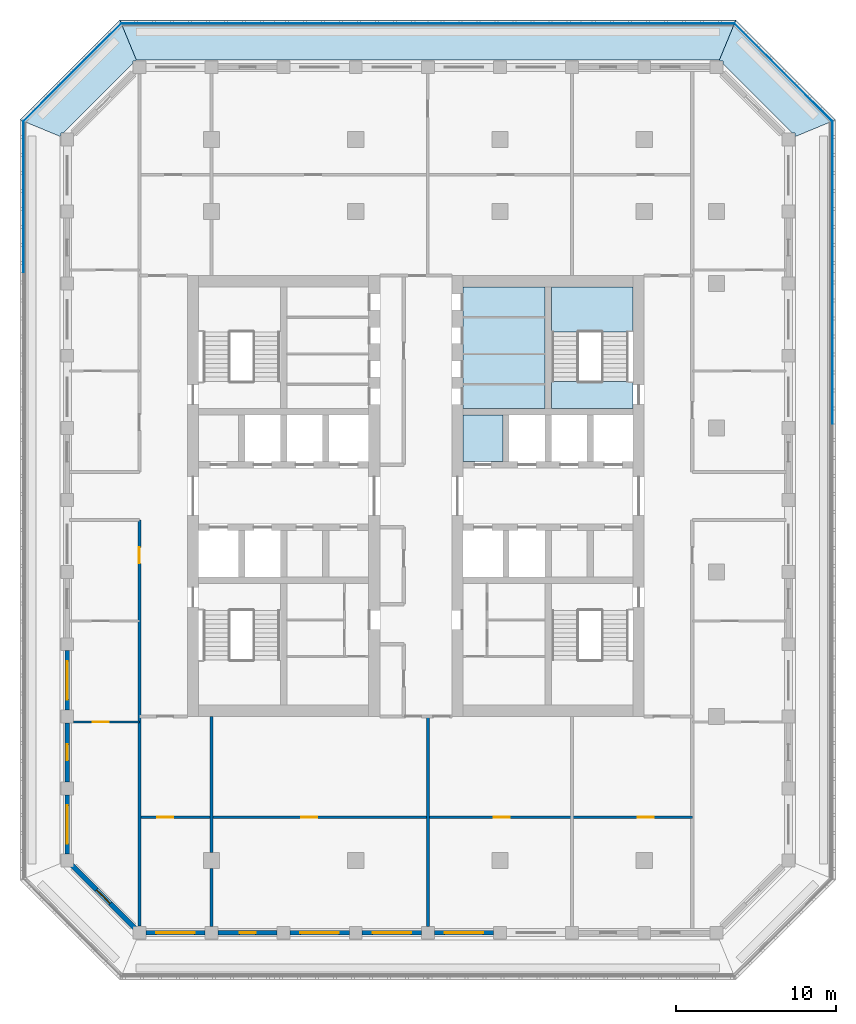
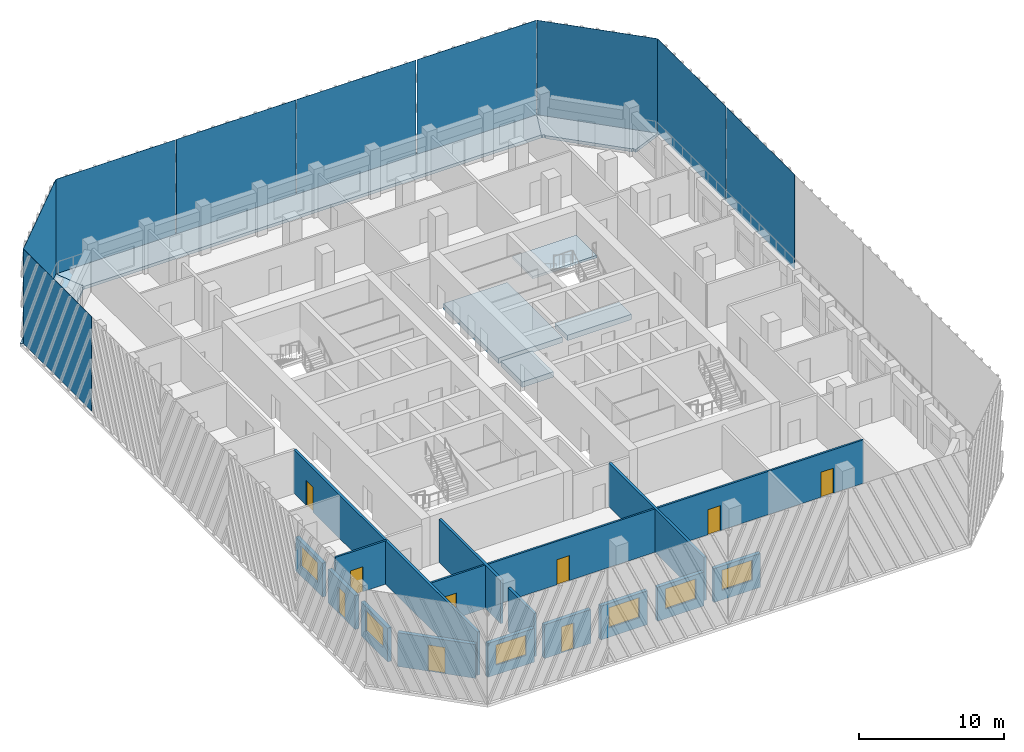
# One storey, part 2 of 17: 15 walls, 9 doors, 9 plates, 7 slabs, 6 windows, 15 openings, 1 element without a shape of its own.
"""IFC4 building model written with IfcOpenShell, lengths in metres."""

from ifc_helpers import new_model, si_unit, direction, frame, frame_2d, origin, origin_2d, place, context, subcontext, project, spatial, polyline, rectangle, outline, extrude, material, layer, layer_set, type_object, element, fill, aggregate, save


model = new_model("IFC4")

# Units and contexts
model_context = context("Model", 3, precision=1e-05, world=origin(), true_north=direction((0.0, 1.0)))
body_context = subcontext(model_context, "Body", "Model", "MODEL_VIEW")
ifc_project = project(units=[si_unit("LENGTHUNIT", "METRE"), si_unit("AREAUNIT", "SQUARE_METRE"), si_unit("VOLUMEUNIT", "CUBIC_METRE"), si_unit("PLANEANGLEUNIT", "RADIAN"), si_unit("MASSUNIT", "GRAM", prefix="KILO")], contexts=[model_context])

# Site, building, storey
site_placement = place(None, origin())
site = spatial("IfcSite", under=ifc_project, at=site_placement, CompositionType="ELEMENT")
building_placement = place(site_placement, origin())
building = spatial("IfcBuilding", under=site, at=building_placement, Name="Corbel Stack Research Tower", CompositionType="ELEMENT")
storey_placement = place(building_placement, frame((0.0, 0.0, 239.800048828125)))
storey = spatial("IfcBuildingStorey", under=building, at=storey_placement, Name="L54", CompositionType="ELEMENT", Elevation=239.800048828125)

# Plates
ifc_material_1 = material(Name="Fritted glass", Category="glass")
ifc_layer_1 = layer(ifc_material_1, 0.02490234375)
ifc_layer_set_1 = layer_set([ifc_layer_1], Name="Fritted glass")
plate_type = type_object("IfcPlateType", Name="Fritted glass panel 25", PredefinedType="SHEET", material=ifc_layer_set_1)
for number, where, z_axis, x_axis, name in (
    (1, (29.737548828125, 13.95556640625, 0.0), (0.0, 0.0, 1.0), (0.0, 1.0, 0.0), "Fritted glass L54 E4"),
    (2, (29.737548828125, 23.411376953125, 0.0), (0.0, 0.0, 1.0), (0.0, 1.0, 0.0), "Fritted glass L54 E5"),
):
    element("IfcPlate", number, at=place(storey_placement, frame(where, z_axis=z_axis, x_axis=x_axis)), inside=storey, type_object=plate_type, Name=name, PredefinedType="SHEET", context=body_context, shape_type="SweptSolid", body=[
        extrude(rectangle(XDim=9.3955078125, YDim=0.02490234375, at=origin_2d()), origin(), (0.0, 0.0, 1.0), 7.949951171875),
    ])
plate_1_placement = place(storey_placement, frame((26.685791015625, 31.185791015625, 0.0), z_axis=(0.0, 0.0, 1.0), x_axis=(-0.707106781187, 0.707106781187, 0.0)))
element("IfcPlate", 3, at=plate_1_placement, inside=storey, type_object=plate_type, Name="Fritted glass L54 NE1", PredefinedType="SHEET", context=body_context, shape_type="SweptSolid", body=[
    extrude(rectangle(XDim=8.58203125, YDim=0.02490234375, at=origin_2d()), origin(), (0.0, 0.0, 1.0), 7.949951171875),
])
for number, where, z_axis, x_axis, name in (
    (4, (18.854248046875, 34.237548828125, 0.0), (0.0, 0.0, 1.0), (-1.0, 0.0, 0.0), "Fritted glass L54 N1"),
    (5, (9.284912109375, 34.237548828125, 0.0), (0.0, 0.0, 1.0), (-1.0, 0.0, 0.0), "Fritted glass L54 N2"),
    (6, (-0.284912109375, 34.237548828125, 0.0), (0.0, 0.0, 1.0), (-1.0, 0.0, 0.0), "Fritted glass L54 N3"),
    (7, (-9.854248046875, 34.237548828125, 0.0), (0.0, 0.0, 1.0), (-1.0, 0.0, 0.0), "Fritted glass L54 N4"),
):
    element("IfcPlate", number, at=place(storey_placement, frame(where, z_axis=z_axis, x_axis=x_axis)), inside=storey, type_object=plate_type, Name=name, PredefinedType="SHEET", context=body_context, shape_type="SweptSolid", body=[
        extrude(rectangle(XDim=9.509521484375, YDim=0.02490234375, at=origin_2d()), origin(), (0.0, 0.0, 1.0), 7.949951171875),
    ])
plate_2_placement = place(storey_placement, frame((-17.685791015625, 31.185791015625, 0.0), z_axis=(0.0, 0.0, 1.0), x_axis=(-0.707106781187, -0.707106781187, 0.0)))
element("IfcPlate", 8, at=plate_2_placement, inside=storey, type_object=plate_type, Name="Fritted glass L54 NW1", PredefinedType="SHEET", context=body_context, shape_type="SweptSolid", body=[
    extrude(rectangle(XDim=8.58203125, YDim=0.02490234375, at=origin_2d()), origin(), (0.0, 0.0, 1.0), 7.949951171875),
])
plate_3_placement = place(storey_placement, frame((-20.737548828125, 23.411376953125, 0.0), z_axis=(0.0, 0.0, 1.0), x_axis=(0.0, -1.0, 0.0)))
element("IfcPlate", 9, at=plate_3_placement, inside=storey, type_object=plate_type, Name="Fritted glass L54 W1", PredefinedType="SHEET", context=body_context, shape_type="SweptSolid", body=[
    extrude(rectangle(XDim=9.3955078125, YDim=0.02490234375, at=origin_2d()), origin(), (0.0, 0.0, 1.0), 7.949951171875),
])

# Slabs
ifc_material_2 = material(Name="Concrete C45/55", Category="concrete")
ifc_layer_2 = layer(ifc_material_2, 0.25)
ifc_layer_set_2 = layer_set([ifc_layer_2], Name="Concrete C45/55")
slab_type_1 = type_object("IfcSlabType", Name="PT balcony slab 250 C45/55", PredefinedType="FLOOR", material=ifc_layer_set_2)
slab_1_placement = place(storey_placement, frame((0.0, 0.0, -0.25)))
element("IfcSlab", 10, at=slab_1_placement, inside=storey, type_object=slab_type_1, Name="Loggia slab L54 NE", PredefinedType="FLOOR", context=body_context, shape_type="SweptSolid", body=[
    extrude(outline(polyline([(22.686279296875, 31.949951171875), (22.736328125, 31.89990234375), (22.89990234375, 31.89990234375), (22.89990234375, 31.736328125), (27.236328125, 27.39990234375), (27.39990234375, 27.39990234375), (27.39990234375, 27.236328125), (27.449951171875, 27.186279296875), (29.949951171875, 28.221923828125), (23.721923828125, 34.449951171875), (22.686279296875, 31.949951171875)])), origin(), (0.0, 0.0, 1.0), 0.25),
])
slab_2_placement = place(storey_placement, frame((0.0, 0.0, -0.25)))
element("IfcSlab", 11, at=slab_2_placement, inside=storey, type_object=slab_type_1, Name="Loggia slab L54 N", PredefinedType="FLOOR", context=body_context, shape_type="SweptSolid", body=[
    extrude(outline(polyline([(-13.686279296875, 31.949951171875), (22.686279296875, 31.949951171875), (23.721923828125, 34.449951171875), (-14.721923828125, 34.449951171875), (-13.686279296875, 31.949951171875)])), origin(), (0.0, 0.0, 1.0), 0.25),
])
slab_3_placement = place(storey_placement, frame((0.0, 0.0, -0.25)))
element("IfcSlab", 12, at=slab_3_placement, inside=storey, type_object=slab_type_1, Name="Loggia slab L54 NW", PredefinedType="FLOOR", context=body_context, shape_type="SweptSolid", body=[
    extrude(outline(polyline([(-18.449951171875, 27.186279296875), (-18.39990234375, 27.236328125), (-18.39990234375, 27.39990234375), (-18.236328125, 27.39990234375), (-13.89990234375, 31.736328125), (-13.89990234375, 31.89990234375), (-13.736328125, 31.89990234375), (-13.686279296875, 31.949951171875), (-14.721923828125, 34.449951171875), (-20.949951171875, 28.221923828125), (-18.449951171875, 27.186279296875)])), origin(), (0.0, 0.0, 1.0), 0.25),
])
ifc_material_3 = material(Name="Concrete C45/55", Category="concrete")
ifc_layer_3 = layer(ifc_material_3, 0.449951171875)
ifc_layer_set_3 = layer_set([ifc_layer_3], Name="Concrete C45/55")
slab_type_2 = type_object("IfcSlabType", Name="PT-450", PredefinedType="FLOOR", material=ifc_layer_set_3)
slab_4_placement = place(storey_placement, frame((0.0, 0.0, -0.449951171875)))
element("IfcSlab", 13, at=slab_4_placement, inside=storey, type_object=slab_type_2, Name="East core floor L54", PredefinedType="FLOOR", context=body_context, shape_type="SweptSolid", body=[
    extrude(outline(polyline([(6.699951171875, 6.89990234375), (9.175048828125, 6.89990234375), (9.175048828125, 9.800048828125), (6.699951171875, 9.800048828125), (6.699951171875, 6.89990234375)])), origin(), (0.0, 0.0, 1.0), 0.449951171875),
])
slab_5_placement = place(storey_placement, frame((0.0, 0.0, -0.449951171875)))
element("IfcSlab", 14, at=slab_5_placement, inside=storey, type_object=slab_type_2, Name="East core floor L54", PredefinedType="FLOOR", context=body_context, shape_type="SweptSolid", body=[
    extrude(outline(polyline([(6.699951171875, 10.199951171875), (11.800048828125, 10.199951171875), (11.800048828125, 17.800048828125), (6.699951171875, 17.800048828125), (6.699951171875, 10.199951171875)])), origin(), (0.0, 0.0, 1.0), 0.449951171875),
])
slab_6_placement = place(storey_placement, frame((0.0, 0.0, -0.449951171875)))
element("IfcSlab", 15, at=slab_6_placement, inside=storey, type_object=slab_type_2, Name="Stair floor landing ST-E2", PredefinedType="FLOOR", context=body_context, shape_type="SweptSolid", body=[
    extrude(outline(polyline([(12.199951171875, 10.199951171875), (17.300048828125, 10.199951171875), (17.300048828125, 11.89990234375), (12.199951171875, 11.89990234375), (12.199951171875, 10.199951171875)])), origin(), (0.0, 0.0, 1.0), 0.449951171875),
])

# Stair, slab
ifc_material_4 = material(Name="Concrete C40/50", Category="concrete")
stair_type = type_object("IfcStairType", Name="Exit stair 24 risers", PredefinedType="HALF_TURN_STAIR", material=ifc_material_4)
stair_placement = place(storey_placement, origin())
stair = element("IfcStair", 16, at=stair_placement, inside=storey, type_object=stair_type, Name="L54 Exit stair ST-E2", PredefinedType="HALF_TURN_STAIR")
ifc_material_5 = material(Name="Concrete C40/50", Category="concrete")
ifc_layer_4 = layer(ifc_material_5, 0.199951171875)
ifc_layer_set_4 = layer_set([ifc_layer_4], Name="Concrete C40/50")
slab_type_3 = type_object("IfcSlabType", Name="Stair landing 200 C40/50", PredefinedType="LANDING", material=ifc_layer_set_4)
slab_7_placement = place(storey_placement, frame((0.0, 0.0, 1.849853515625)))
slab_7 = element("IfcSlab", 17, at=slab_7_placement, type_object=slab_type_3, Name="ST-E2 landing 1", PredefinedType="LANDING", context=body_context, shape_type="SweptSolid", body=[
    extrude(outline(polyline([(12.199951171875, 14.97998046875), (12.199951171875, 17.800048828125), (17.300048828125, 17.800048828125), (17.300048828125, 14.97998046875), (12.199951171875, 14.97998046875)])), origin(), (0.0, 0.0, 1.0), 0.2001953125),
])
aggregate(stair, [slab_7])

# Wall, opening, door
ifc_material_6 = material(Name="Fire-rated gypsum board partition on steel studs", Category="steel")
ifc_layer_5 = layer(ifc_material_6, 0.199951171875)
ifc_layer_set_5 = layer_set([ifc_layer_5], Name="Fire-rated gypsum board partition on steel studs")
wall_type_1 = type_object("IfcWallType", Name="Fire-rated partition 200 EI 60", PredefinedType="PARTITIONING", material=ifc_layer_set_5)
wall_1_placement = place(storey_placement, frame((-13.5, -22.0771484375, 0.0), z_axis=(0.0, 0.0, 1.0), x_axis=(0.0, 1.0, 0.0)))
wall_1 = element("IfcWall", 18, at=wall_1_placement, inside=storey, type_object=wall_type_1, Name="Partition L54-001", PredefinedType="PARTITIONING", context=body_context, shape_type="SweptSolid", body=[
    extrude(rectangle(XDim=25.3271484375, YDim=0.199951171875, at=frame_2d((12.66357421875, 0.0))), origin(), (0.0, 0.0, 1.0), 3.64990234375),
])
opening_1_placement = place(wall_1_placement, frame((22.627197265625, 0.0, 0.0)))
opening_1 = element("IfcOpeningElement", 19, at=opening_1_placement, cuts=wall_1, Name="Opening B7V0-005", PredefinedType="OPENING", context=body_context, shape_type="SweptSolid", body=[
    extrude(rectangle(XDim=1.0, YDim=2.10009765625, at=frame_2d((0.5, 1.050048828125))), frame((0.0, 0.10986328125, 0.0), z_axis=(0.0, -1.0, 0.0), x_axis=(1.0, 0.0, 0.0)), (0.0, 0.0, 1.0), 0.219970703125),
])
ifc_material_7 = material(Name="Painted steel fire door", Category="steel")
door_type_1 = type_object("IfcDoorType", Name="Fire door FD30S 1000 x 2100", OperationType="NOTDEFINED", PredefinedType="DOOR", material=ifc_material_7)
door_1_placement = place(opening_1_placement, origin())
door_1 = element("IfcDoor", 20, at=door_1_placement, inside=storey, type_object=door_type_1, Name="Door B7V0-005", OperationType="SINGLE_SWING_RIGHT", OverallHeight=2.10009765625, OverallWidth=1.0, PredefinedType="DOOR", context=body_context, shape_type="SweptSolid", body=[
    extrude(rectangle(XDim=1.0, YDim=2.10009765625, at=frame_2d((0.5, 1.050048828125))), frame((0.0, 0.02490234375, 0.0), z_axis=(0.0, -1.0, 0.0), x_axis=(1.0, 0.0, 0.0)), (0.0, 0.0, 1.0), 0.050048828125),
])
fill(opening_1, door_1)

# Walls
wall_2_placement = place(storey_placement, frame((-9.0, -22.10009765625, 0.0), z_axis=(0.0, 0.0, 1.0), x_axis=(0.0, 1.0, 0.0)))
element("IfcWall", 21, at=wall_2_placement, inside=storey, type_object=wall_type_1, Name="Partition L54-003", PredefinedType="PARTITIONING", context=body_context, shape_type="SweptSolid", body=[
    extrude(rectangle(XDim=3.60009765625, YDim=0.199951171875, at=frame_2d((1.800048828125, 0.0))), origin(), (0.0, 0.0, 1.0), 3.64990234375),
])
wall_3_placement = place(storey_placement, frame((-9.0, -17.5, 0.0), z_axis=(0.0, 0.0, 1.0), x_axis=(0.0, 1.0, 0.0)))
element("IfcWall", 22, at=wall_3_placement, inside=storey, type_object=wall_type_1, Name="Partition L54-004", PredefinedType="PARTITIONING", context=body_context, shape_type="SweptSolid", body=[
    extrude(rectangle(XDim=8.5, YDim=0.199951171875, at=frame_2d((4.25, 0.0))), origin(), (0.0, 0.0, 1.0), 3.64990234375),
])
wall_4_placement = place(storey_placement, frame((4.5, -22.10009765625, 0.0), z_axis=(0.0, 0.0, 1.0), x_axis=(0.0, 1.0, 0.0)))
element("IfcWall", 23, at=wall_4_placement, inside=storey, type_object=wall_type_1, Name="Partition L54-012", PredefinedType="PARTITIONING", context=body_context, shape_type="SweptSolid", body=[
    extrude(rectangle(XDim=13.10009765625, YDim=0.199951171875, at=frame_2d((6.550048828125, 0.0))), origin(), (0.0, 0.0, 1.0), 3.64990234375),
])

# Wall, openings, doors
ifc_material_8 = material(Name="Gypsum board partition on steel studs", Category="steel")
ifc_layer_6 = layer(ifc_material_8, 0.14990234375)
ifc_layer_set_6 = layer_set([ifc_layer_6], Name="Gypsum board partition on steel studs")
wall_type_2 = type_object("IfcWallType", Name="Partition 150", PredefinedType="PARTITIONING", material=ifc_layer_set_6)
wall_5_placement = place(storey_placement, frame((21.0, -15.300048828125, 0.0), z_axis=(0.0, 0.0, 1.0), x_axis=(-1.0, 0.0, 0.0)))
wall_5 = element("IfcWall", 24, at=wall_5_placement, inside=storey, type_object=wall_type_2, Name="Partition L54-017", PredefinedType="PARTITIONING", context=body_context, shape_type="SweptSolid", body=[
    extrude(rectangle(XDim=34.5, YDim=0.14990234375, at=frame_2d((17.25, 0.0))), origin(), (0.0, 0.0, 1.0), 3.64990234375),
])
opening_2_placement = place(wall_5_placement, frame((32.39990234375, 0.0, 0.0)))
opening_2 = element("IfcOpeningElement", 25, at=opening_2_placement, cuts=wall_5, Name="Opening B7V0-001", PredefinedType="OPENING", context=body_context, shape_type="SweptSolid", body=[
    extrude(rectangle(XDim=1.0, YDim=2.10009765625, at=frame_2d((0.5, 1.050048828125))), frame((0.0, 0.0849609375, 0.0), z_axis=(0.0, -1.0, 0.0), x_axis=(1.0, 0.0, 0.0)), (0.0, 0.0, 1.0), 0.169921875),
])
opening_3_placement = place(wall_5_placement, frame((23.39990234375, 0.0, 0.0)))
opening_3 = element("IfcOpeningElement", 26, at=opening_3_placement, cuts=wall_5, Name="Opening B7V0-002", PredefinedType="OPENING", context=body_context, shape_type="SweptSolid", body=[
    extrude(rectangle(XDim=1.0, YDim=2.10009765625, at=frame_2d((0.5, 1.050048828125))), frame((0.0, 0.0849609375, 0.0), z_axis=(0.0, -1.0, 0.0), x_axis=(1.0, 0.0, 0.0)), (0.0, 0.0, 1.0), 0.169921875),
])
opening_4_placement = place(wall_5_placement, frame((11.39990234375, 0.0, 0.0)))
opening_4 = element("IfcOpeningElement", 27, at=opening_4_placement, cuts=wall_5, Name="Opening B7V0-003", PredefinedType="OPENING", context=body_context, shape_type="SweptSolid", body=[
    extrude(rectangle(XDim=1.0, YDim=2.10009765625, at=frame_2d((0.5, 1.050048828125))), frame((0.0, 0.0849609375, 0.0), z_axis=(0.0, -1.0, 0.0), x_axis=(1.0, 0.0, 0.0)), (0.0, 0.0, 1.0), 0.169921875),
])
opening_5_placement = place(wall_5_placement, frame((2.39990234375, 0.0, 0.0)))
opening_5 = element("IfcOpeningElement", 28, at=opening_5_placement, cuts=wall_5, Name="Opening B7V0-004", PredefinedType="OPENING", context=body_context, shape_type="SweptSolid", body=[
    extrude(rectangle(XDim=1.0, YDim=2.10009765625, at=frame_2d((0.5, 1.050048828125))), frame((0.0, 0.0849609375, 0.0), z_axis=(0.0, -1.0, 0.0), x_axis=(1.0, 0.0, 0.0)), (0.0, 0.0, 1.0), 0.169921875),
])
ifc_material_9 = material(Name="Painted timber door", Category="wood")
door_type_2 = type_object("IfcDoorType", Name="Single door 1000 x 2100", OperationType="NOTDEFINED", PredefinedType="DOOR", material=ifc_material_9)
door_2_placement = place(opening_2_placement, origin())
door_2 = element("IfcDoor", 29, at=door_2_placement, inside=storey, type_object=door_type_2, Name="Door B7V0-001", OperationType="SINGLE_SWING_RIGHT", OverallHeight=2.10009765625, OverallWidth=1.0, PredefinedType="DOOR", context=body_context, shape_type="SweptSolid", body=[
    extrude(rectangle(XDim=1.0, YDim=2.10009765625, at=frame_2d((0.5, 1.050048828125))), frame((0.0, 0.02490234375, 0.0), z_axis=(0.0, -1.0, 0.0), x_axis=(1.0, 0.0, 0.0)), (0.0, 0.0, 1.0), 0.050048828125),
])
fill(opening_2, door_2)
door_3_placement = place(opening_3_placement, origin())
door_3 = element("IfcDoor", 30, at=door_3_placement, inside=storey, type_object=door_type_2, Name="Door B7V0-002", OperationType="SINGLE_SWING_RIGHT", OverallHeight=2.10009765625, OverallWidth=1.0, PredefinedType="DOOR", context=body_context, shape_type="SweptSolid", body=[
    extrude(rectangle(XDim=1.0, YDim=2.10009765625, at=frame_2d((0.5, 1.050048828125))), frame((0.0, 0.02490234375, 0.0), z_axis=(0.0, -1.0, 0.0), x_axis=(1.0, 0.0, 0.0)), (0.0, 0.0, 1.0), 0.050048828125),
])
fill(opening_3, door_3)
door_4_placement = place(opening_4_placement, origin())
door_4 = element("IfcDoor", 31, at=door_4_placement, inside=storey, type_object=door_type_2, Name="Door B7V0-003", OperationType="SINGLE_SWING_LEFT", OverallHeight=2.10009765625, OverallWidth=1.0, PredefinedType="DOOR", context=body_context, shape_type="SweptSolid", body=[
    extrude(rectangle(XDim=1.0, YDim=2.10009765625, at=frame_2d((0.5, 1.050048828125))), frame((0.0, 0.02490234375, 0.0), z_axis=(0.0, -1.0, 0.0), x_axis=(1.0, 0.0, 0.0)), (0.0, 0.0, 1.0), 0.050048828125),
])
fill(opening_4, door_4)
door_5_placement = place(opening_5_placement, origin())
door_5 = element("IfcDoor", 32, at=door_5_placement, inside=storey, type_object=door_type_2, Name="Door B7V0-004", OperationType="SINGLE_SWING_LEFT", OverallHeight=2.10009765625, OverallWidth=1.0, PredefinedType="DOOR", context=body_context, shape_type="SweptSolid", body=[
    extrude(rectangle(XDim=1.0, YDim=2.10009765625, at=frame_2d((0.5, 1.050048828125))), frame((0.0, 0.02490234375, 0.0), z_axis=(0.0, -1.0, 0.0), x_axis=(1.0, 0.0, 0.0)), (0.0, 0.0, 1.0), 0.050048828125),
])
fill(opening_5, door_5)

# Wall, opening, door
wall_6_placement = place(storey_placement, frame((-13.5, -9.35009765625, 0.0), z_axis=(0.0, 0.0, 1.0), x_axis=(-1.0, 0.0, 0.0)))
wall_6 = element("IfcWall", 33, at=wall_6_placement, inside=storey, type_object=wall_type_2, Name="Partition L54-018", PredefinedType="PARTITIONING", context=body_context, shape_type="SweptSolid", body=[
    extrude(rectangle(XDim=4.10009765625, YDim=0.14990234375, at=frame_2d((2.050048828125, 0.0))), origin(), (0.0, 0.0, 1.0), 3.64990234375),
])
opening_6_placement = place(wall_6_placement, frame((1.89990234375, 0.0, 0.0)))
opening_6 = element("IfcOpeningElement", 34, at=opening_6_placement, cuts=wall_6, Name="Opening B7V0-007", PredefinedType="OPENING", context=body_context, shape_type="SweptSolid", body=[
    extrude(rectangle(XDim=1.0, YDim=2.10009765625, at=frame_2d((0.5, 1.050048828125))), frame((0.0, 0.0849609375, 0.0), z_axis=(0.0, -1.0, 0.0), x_axis=(1.0, 0.0, 0.0)), (0.0, 0.0, 1.0), 0.169921875),
])
door_6_placement = place(opening_6_placement, origin())
door_6 = element("IfcDoor", 35, at=door_6_placement, inside=storey, type_object=door_type_2, Name="Door B7V0-007", OperationType="SINGLE_SWING_RIGHT", OverallHeight=2.10009765625, OverallWidth=1.0, PredefinedType="DOOR", context=body_context, shape_type="SweptSolid", body=[
    extrude(rectangle(XDim=1.0, YDim=2.10009765625, at=frame_2d((0.5, 1.050048828125))), frame((0.0, 0.02490234375, 0.0), z_axis=(0.0, -1.0, 0.0), x_axis=(1.0, 0.0, 0.0)), (0.0, 0.0, 1.0), 0.050048828125),
])
fill(opening_6, door_6)

# Wall, opening, window
ifc_material_10 = material(Name="Concrete C45/55", Category="concrete")
ifc_layer_7 = layer(ifc_material_10, 0.300048828125)
ifc_layer_set_7 = layer_set([ifc_layer_7], Name="Concrete C45/55")
wall_type_3 = type_object("IfcWallType", Name="Terracotta-faced concrete wall 300", PredefinedType="SOLIDWALL", material=ifc_layer_set_7)
wall_7_placement = place(storey_placement, frame((-9.39990234375, -22.5, 0.0), z_axis=(0.0, 0.0, 1.0), x_axis=(-1.0, 0.0, 0.0)))
wall_7 = element("IfcWall", 36, at=wall_7_placement, inside=storey, type_object=wall_type_3, Name="Facade wall L54 S01", PredefinedType="SOLIDWALL", context=body_context, shape_type="SweptSolid", body=[
    extrude(rectangle(XDim=3.7001953125, YDim=0.300048828125, at=frame_2d((1.85009765625, 0.0))), origin(), (0.0, 0.0, 1.0), 2.849853515625),
])
opening_7_placement = place(wall_7_placement, frame((0.64990234375, 0.0, 0.800048828125)))
opening_7 = element("IfcOpeningElement", 37, at=opening_7_placement, cuts=wall_7, Name="Opening W1", PredefinedType="OPENING", context=body_context, shape_type="SweptSolid", body=[
    extrude(rectangle(XDim=2.39990234375, YDim=1.699951171875, at=frame_2d((1.199951171875, 0.85009765625))), frame((0.0, 0.159912109375, 0.0), z_axis=(0.0, -1.0, 0.0), x_axis=(1.0, 0.0, 0.0)), (0.0, 0.0, 1.0), 0.320068359375),
])
ifc_material_11 = material(Name="Aluminium frame, clear double glazing", Category="aluminium")
window_type = type_object("IfcWindowType", Name="Window W1 2400 x 1700", PartitioningType="SINGLE_PANEL", PredefinedType="WINDOW", material=ifc_material_11)
window_1_placement = place(opening_7_placement, origin())
window_1 = element("IfcWindow", 38, at=window_1_placement, inside=storey, type_object=window_type, Name="Window W1 L54 S01", OverallHeight=1.699951171875, OverallWidth=2.39990234375, PartitioningType="SINGLE_PANEL", PredefinedType="WINDOW", context=body_context, shape_type="SweptSolid", body=[
    extrude(rectangle(XDim=2.39990234375, YDim=1.699951171875, at=frame_2d((1.199951171875, 0.85009765625))), frame((0.0, 0.030029296875, 0.0), z_axis=(0.0, -1.0, 0.0), x_axis=(1.0, 0.0, 0.0)), (0.0, 0.0, 1.0), 0.06005859375),
])
fill(opening_7, window_1)

# Wall, opening, door
wall_8_placement = place(storey_placement, frame((-4.89990234375, -22.5, 0.0), z_axis=(0.0, 0.0, 1.0), x_axis=(-1.0, 0.0, 0.0)))
wall_8 = element("IfcWall", 39, at=wall_8_placement, inside=storey, type_object=wall_type_3, Name="Facade wall L54 S02", PredefinedType="SOLIDWALL", context=body_context, shape_type="SweptSolid", body=[
    extrude(rectangle(XDim=3.7001953125, YDim=0.300048828125, at=frame_2d((1.85009765625, 0.0))), origin(), (0.0, 0.0, 1.0), 2.849853515625),
])
opening_8_placement = place(wall_8_placement, frame((1.35009765625, 0.0, 0.0)))
opening_8 = element("IfcOpeningElement", 40, at=opening_8_placement, cuts=wall_8, Name="Opening L54-B01", PredefinedType="OPENING", context=body_context, shape_type="SweptSolid", body=[
    extrude(rectangle(XDim=1.0, YDim=2.199951171875, at=frame_2d((0.5, 1.10009765625))), frame((0.0, 0.159912109375, 0.0), z_axis=(0.0, -1.0, 0.0), x_axis=(1.0, 0.0, 0.0)), (0.0, 0.0, 1.0), 0.320068359375),
])
ifc_material_12 = material(Name="Aluminium frame, clear double glazing", Category="aluminium")
door_type_3 = type_object("IfcDoorType", Name="Balcony door BD1 1000 x 2200", OperationType="NOTDEFINED", PredefinedType="DOOR", material=ifc_material_12)
door_7_placement = place(opening_8_placement, origin())
door_7 = element("IfcDoor", 41, at=door_7_placement, inside=storey, type_object=door_type_3, Name="Balcony door L54-B01", OperationType="SINGLE_SWING_RIGHT", OverallHeight=2.199951171875, OverallWidth=1.0, PredefinedType="DOOR", context=body_context, shape_type="SweptSolid", body=[
    extrude(rectangle(XDim=1.0, YDim=2.199951171875, at=frame_2d((0.5, 1.10009765625))), frame((0.0, 0.02490234375, 0.0), z_axis=(0.0, -1.0, 0.0), x_axis=(1.0, 0.0, 0.0)), (0.0, 0.0, 1.0), 0.050048828125),
])
fill(opening_8, door_7)

# Wall, opening, window
wall_9_placement = place(storey_placement, frame((-0.39990234375, -22.5, 0.0), z_axis=(0.0, 0.0, 1.0), x_axis=(-1.0, 0.0, 0.0)))
wall_9 = element("IfcWall", 42, at=wall_9_placement, inside=storey, type_object=wall_type_3, Name="Facade wall L54 S03", PredefinedType="SOLIDWALL", context=body_context, shape_type="SweptSolid", body=[
    extrude(rectangle(XDim=3.7001953125, YDim=0.300048828125, at=frame_2d((1.85009765625, 0.0))), origin(), (0.0, 0.0, 1.0), 2.849853515625),
])
opening_9_placement = place(wall_9_placement, frame((0.64990234375, 0.0, 0.800048828125)))
opening_9 = element("IfcOpeningElement", 43, at=opening_9_placement, cuts=wall_9, Name="Opening W1", PredefinedType="OPENING", context=body_context, shape_type="SweptSolid", body=[
    extrude(rectangle(XDim=2.39990234375, YDim=1.699951171875, at=frame_2d((1.199951171875, 0.85009765625))), frame((0.0, 0.159912109375, 0.0), z_axis=(0.0, -1.0, 0.0), x_axis=(1.0, 0.0, 0.0)), (0.0, 0.0, 1.0), 0.320068359375),
])
window_2_placement = place(opening_9_placement, origin())
window_2 = element("IfcWindow", 44, at=window_2_placement, inside=storey, type_object=window_type, Name="Window W1 L54 S03", OverallHeight=1.699951171875, OverallWidth=2.39990234375, PartitioningType="SINGLE_PANEL", PredefinedType="WINDOW", context=body_context, shape_type="SweptSolid", body=[
    extrude(rectangle(XDim=2.39990234375, YDim=1.699951171875, at=frame_2d((1.199951171875, 0.85009765625))), frame((0.0, 0.030029296875, 0.0), z_axis=(0.0, -1.0, 0.0), x_axis=(1.0, 0.0, 0.0)), (0.0, 0.0, 1.0), 0.06005859375),
])
fill(opening_9, window_2)

wall_10_placement = place(storey_placement, frame((4.10009765625, -22.5, 0.0), z_axis=(0.0, 0.0, 1.0), x_axis=(-1.0, 0.0, 0.0)))
wall_10 = element("IfcWall", 45, at=wall_10_placement, inside=storey, type_object=wall_type_3, Name="Facade wall L54 S04", PredefinedType="SOLIDWALL", context=body_context, shape_type="SweptSolid", body=[
    extrude(rectangle(XDim=3.7001953125, YDim=0.300048828125, at=frame_2d((1.85009765625, 0.0))), origin(), (0.0, 0.0, 1.0), 2.849853515625),
])
opening_10_placement = place(wall_10_placement, frame((0.64990234375, 0.0, 0.800048828125)))
opening_10 = element("IfcOpeningElement", 46, at=opening_10_placement, cuts=wall_10, Name="Opening W1", PredefinedType="OPENING", context=body_context, shape_type="SweptSolid", body=[
    extrude(rectangle(XDim=2.39990234375, YDim=1.699951171875, at=frame_2d((1.199951171875, 0.85009765625))), frame((0.0, 0.159912109375, 0.0), z_axis=(0.0, -1.0, 0.0), x_axis=(1.0, 0.0, 0.0)), (0.0, 0.0, 1.0), 0.320068359375),
])
window_3_placement = place(opening_10_placement, origin())
window_3 = element("IfcWindow", 47, at=window_3_placement, inside=storey, type_object=window_type, Name="Window W1 L54 S04", OverallHeight=1.699951171875, OverallWidth=2.39990234375, PartitioningType="SINGLE_PANEL", PredefinedType="WINDOW", context=body_context, shape_type="SweptSolid", body=[
    extrude(rectangle(XDim=2.39990234375, YDim=1.699951171875, at=frame_2d((1.199951171875, 0.85009765625))), frame((0.0, 0.030029296875, 0.0), z_axis=(0.0, -1.0, 0.0), x_axis=(1.0, 0.0, 0.0)), (0.0, 0.0, 1.0), 0.06005859375),
])
fill(opening_10, window_3)

wall_11_placement = place(storey_placement, frame((8.60009765625, -22.5, 0.0), z_axis=(0.0, 0.0, 1.0), x_axis=(-1.0, 0.0, 0.0)))
wall_11 = element("IfcWall", 48, at=wall_11_placement, inside=storey, type_object=wall_type_3, Name="Facade wall L54 S05", PredefinedType="SOLIDWALL", context=body_context, shape_type="SweptSolid", body=[
    extrude(rectangle(XDim=3.7001953125, YDim=0.300048828125, at=frame_2d((1.85009765625, 0.0))), origin(), (0.0, 0.0, 1.0), 2.849853515625),
])
opening_11_placement = place(wall_11_placement, frame((0.64990234375, 0.0, 0.800048828125)))
opening_11 = element("IfcOpeningElement", 49, at=opening_11_placement, cuts=wall_11, Name="Opening W1", PredefinedType="OPENING", context=body_context, shape_type="SweptSolid", body=[
    extrude(rectangle(XDim=2.39990234375, YDim=1.699951171875, at=frame_2d((1.199951171875, 0.85009765625))), frame((0.0, 0.159912109375, 0.0), z_axis=(0.0, -1.0, 0.0), x_axis=(1.0, 0.0, 0.0)), (0.0, 0.0, 1.0), 0.320068359375),
])
window_4_placement = place(opening_11_placement, origin())
window_4 = element("IfcWindow", 50, at=window_4_placement, inside=storey, type_object=window_type, Name="Window W1 L54 S05", OverallHeight=1.699951171875, OverallWidth=2.39990234375, PartitioningType="SINGLE_PANEL", PredefinedType="WINDOW", context=body_context, shape_type="SweptSolid", body=[
    extrude(rectangle(XDim=2.39990234375, YDim=1.699951171875, at=frame_2d((1.199951171875, 0.85009765625))), frame((0.0, 0.030029296875, 0.0), z_axis=(0.0, -1.0, 0.0), x_axis=(1.0, 0.0, 0.0)), (0.0, 0.0, 1.0), 0.06005859375),
])
fill(opening_11, window_4)

wall_12_placement = place(storey_placement, frame((-18.0, -8.60009765625, 0.0), z_axis=(0.0, 0.0, 1.0), x_axis=(0.0, 1.0, 0.0)))
wall_12 = element("IfcWall", 51, at=wall_12_placement, inside=storey, type_object=wall_type_3, Name="Facade wall L54 W08", PredefinedType="SOLIDWALL", context=body_context, shape_type="SweptSolid", body=[
    extrude(rectangle(XDim=3.7001953125, YDim=0.300048828125, at=frame_2d((1.85009765625, 0.0))), origin(), (0.0, 0.0, 1.0), 2.849853515625),
])
opening_12_placement = place(wall_12_placement, frame((0.64990234375, 0.0, 0.800048828125)))
opening_12 = element("IfcOpeningElement", 52, at=opening_12_placement, cuts=wall_12, Name="Opening W1", PredefinedType="OPENING", context=body_context, shape_type="SweptSolid", body=[
    extrude(rectangle(XDim=2.39990234375, YDim=1.699951171875, at=frame_2d((1.199951171875, 0.85009765625))), frame((0.0, 0.159912109375, 0.0), z_axis=(0.0, -1.0, 0.0), x_axis=(1.0, 0.0, 0.0)), (0.0, 0.0, 1.0), 0.320068359375),
])
window_5_placement = place(opening_12_placement, origin())
window_5 = element("IfcWindow", 53, at=window_5_placement, inside=storey, type_object=window_type, Name="Window W1 L54 W08", OverallHeight=1.699951171875, OverallWidth=2.39990234375, PartitioningType="SINGLE_PANEL", PredefinedType="WINDOW", context=body_context, shape_type="SweptSolid", body=[
    extrude(rectangle(XDim=2.39990234375, YDim=1.699951171875, at=frame_2d((1.199951171875, 0.85009765625))), frame((0.0, 0.030029296875, 0.0), z_axis=(0.0, -1.0, 0.0), x_axis=(1.0, 0.0, 0.0)), (0.0, 0.0, 1.0), 0.06005859375),
])
fill(opening_12, window_5)

# Wall, opening, door
wall_13_placement = place(storey_placement, frame((-18.0, -13.10009765625, 0.0), z_axis=(0.0, 0.0, 1.0), x_axis=(0.0, 1.0, 0.0)))
wall_13 = element("IfcWall", 54, at=wall_13_placement, inside=storey, type_object=wall_type_3, Name="Facade wall L54 W09", PredefinedType="SOLIDWALL", context=body_context, shape_type="SweptSolid", body=[
    extrude(rectangle(XDim=3.7001953125, YDim=0.300048828125, at=frame_2d((1.85009765625, 0.0))), origin(), (0.0, 0.0, 1.0), 2.849853515625),
])
opening_13_placement = place(wall_13_placement, frame((1.35009765625, 0.0, 0.0)))
opening_13 = element("IfcOpeningElement", 55, at=opening_13_placement, cuts=wall_13, Name="Opening L54-B11", PredefinedType="OPENING", context=body_context, shape_type="SweptSolid", body=[
    extrude(rectangle(XDim=1.0, YDim=2.199951171875, at=frame_2d((0.5, 1.10009765625))), frame((0.0, 0.159912109375, 0.0), z_axis=(0.0, -1.0, 0.0), x_axis=(1.0, 0.0, 0.0)), (0.0, 0.0, 1.0), 0.320068359375),
])
door_8_placement = place(opening_13_placement, origin())
door_8 = element("IfcDoor", 56, at=door_8_placement, inside=storey, type_object=door_type_3, Name="Balcony door L54-B11", OperationType="SINGLE_SWING_LEFT", OverallHeight=2.199951171875, OverallWidth=1.0, PredefinedType="DOOR", context=body_context, shape_type="SweptSolid", body=[
    extrude(rectangle(XDim=1.0, YDim=2.199951171875, at=frame_2d((0.5, 1.10009765625))), frame((0.0, 0.02490234375, 0.0), z_axis=(0.0, -1.0, 0.0), x_axis=(1.0, 0.0, 0.0)), (0.0, 0.0, 1.0), 0.050048828125),
])
fill(opening_13, door_8)

# Wall, opening, window
wall_14_placement = place(storey_placement, frame((-18.0, -17.60009765625, 0.0), z_axis=(0.0, 0.0, 1.0), x_axis=(0.0, 1.0, 0.0)))
wall_14 = element("IfcWall", 57, at=wall_14_placement, inside=storey, type_object=wall_type_3, Name="Facade wall L54 W10", PredefinedType="SOLIDWALL", context=body_context, shape_type="SweptSolid", body=[
    extrude(rectangle(XDim=3.7001953125, YDim=0.300048828125, at=frame_2d((1.85009765625, 0.0))), origin(), (0.0, 0.0, 1.0), 2.849853515625),
])
opening_14_placement = place(wall_14_placement, frame((0.64990234375, 0.0, 0.800048828125)))
opening_14 = element("IfcOpeningElement", 58, at=opening_14_placement, cuts=wall_14, Name="Opening W1", PredefinedType="OPENING", context=body_context, shape_type="SweptSolid", body=[
    extrude(rectangle(XDim=2.39990234375, YDim=1.699951171875, at=frame_2d((1.199951171875, 0.85009765625))), frame((0.0, 0.159912109375, 0.0), z_axis=(0.0, -1.0, 0.0), x_axis=(1.0, 0.0, 0.0)), (0.0, 0.0, 1.0), 0.320068359375),
])
window_6_placement = place(opening_14_placement, origin())
window_6 = element("IfcWindow", 59, at=window_6_placement, inside=storey, type_object=window_type, Name="Window W1 L54 W10", OverallHeight=1.699951171875, OverallWidth=2.39990234375, PartitioningType="SINGLE_PANEL", PredefinedType="WINDOW", context=body_context, shape_type="SweptSolid", body=[
    extrude(rectangle(XDim=2.39990234375, YDim=1.699951171875, at=frame_2d((1.199951171875, 0.85009765625))), frame((0.0, 0.030029296875, 0.0), z_axis=(0.0, -1.0, 0.0), x_axis=(1.0, 0.0, 0.0)), (0.0, 0.0, 1.0), 0.06005859375),
])
fill(opening_14, window_6)

# Wall, opening, door
wall_15_placement = place(storey_placement, frame((-13.7939453125, -22.2060546875, 0.0), z_axis=(0.0, 0.0, 1.0), x_axis=(-0.707106781187, 0.707106781187, 0.0)))
wall_15 = element("IfcWall", 60, at=wall_15_placement, inside=storey, type_object=wall_type_3, Name="Facade wall L54 SW01", PredefinedType="SOLIDWALL", context=body_context, shape_type="SweptSolid", body=[
    extrude(rectangle(XDim=5.532470703125, YDim=0.300048828125, at=frame_2d((2.76611328125, 0.0))), origin(), (0.0, 0.0, 1.0), 2.849853515625),
])
opening_15_placement = place(wall_15_placement, frame((2.166259765625, 0.0, 0.0)))
opening_15 = element("IfcOpeningElement", 61, at=opening_15_placement, cuts=wall_15, Name="Opening L54-B12", PredefinedType="OPENING", context=body_context, shape_type="SweptSolid", body=[
    extrude(rectangle(XDim=1.199951171875, YDim=2.199951171875, at=frame_2d((0.60009765625, 1.10009765625))), frame((0.0, 0.159912109375, 0.0), z_axis=(0.0, -1.0, 0.0), x_axis=(1.0, 0.0, 0.0)), (0.0, 0.0, 1.0), 0.320068359375),
])
ifc_material_13 = material(Name="Aluminium frame, clear double glazing", Category="aluminium")
door_type_4 = type_object("IfcDoorType", Name="Balcony door BD2 1200 x 2200", OperationType="NOTDEFINED", PredefinedType="DOOR", material=ifc_material_13)
door_9_placement = place(opening_15_placement, origin())
door_9 = element("IfcDoor", 62, at=door_9_placement, inside=storey, type_object=door_type_4, Name="Balcony door L54-B12", OperationType="SINGLE_SWING_LEFT", OverallHeight=2.199951171875, OverallWidth=1.199951171875, PredefinedType="DOOR", context=body_context, shape_type="SweptSolid", body=[
    extrude(rectangle(XDim=1.199951171875, YDim=2.199951171875, at=frame_2d((0.60009765625, 1.10009765625))), frame((0.0, 0.02490234375, 0.0), z_axis=(0.0, -1.0, 0.0), x_axis=(1.0, 0.0, 0.0)), (0.0, 0.0, 1.0), 0.050048828125),
])
fill(opening_15, door_9)

save(model, "model.ifc")
